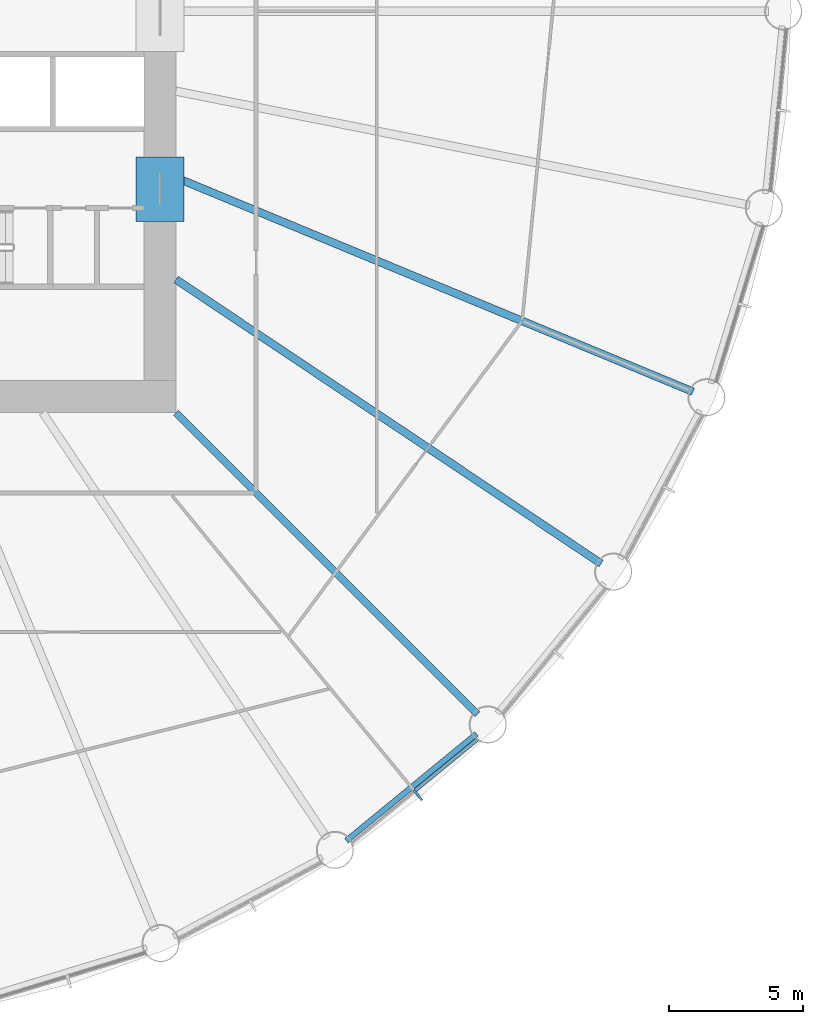
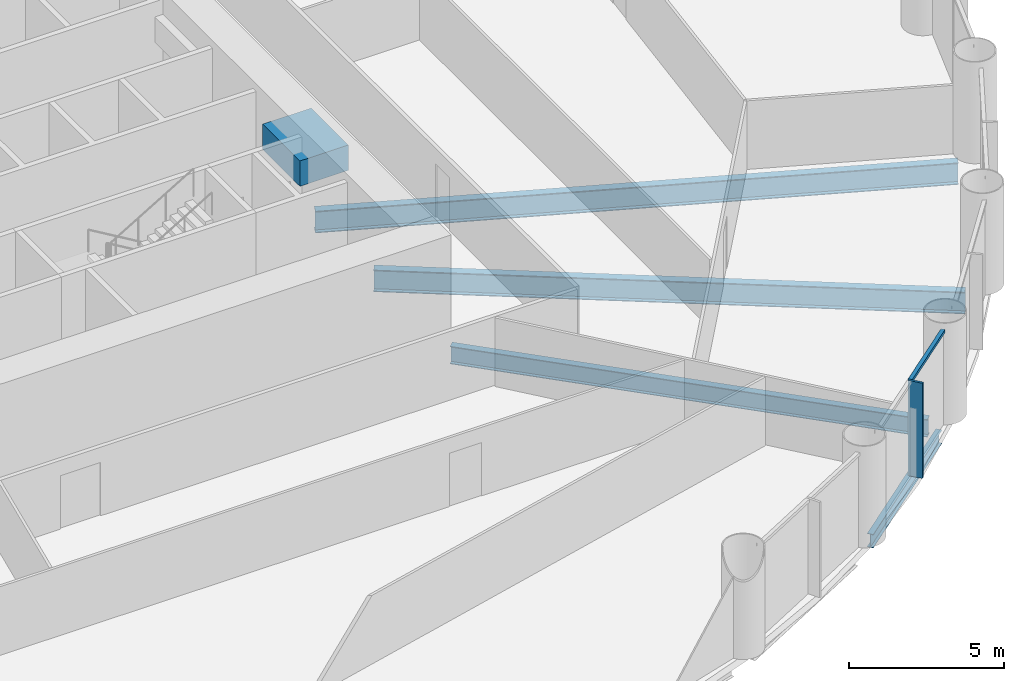
# One storey, part 3 of 15: 5 beams, 2 members, 1 element without a shape of its own.
"""IFC4 building model written with IfcOpenShell, lengths in metres."""

from ifc_helpers import new_model, si_unit, direction, frame, origin, origin_2d, place, context, subcontext, project, spatial, rectangle, i_section, extrude, material, material_profile, profile_set, type_object, element, aggregate, save


model = new_model("IFC4")

# Units and contexts
model_context = context("Model", 3, precision=1e-05, world=origin(), true_north=direction((0.0, 1.0)))
body_context = subcontext(model_context, "Body", "Model", "MODEL_VIEW")
ifc_project = project(units=[si_unit("LENGTHUNIT", "METRE"), si_unit("AREAUNIT", "SQUARE_METRE"), si_unit("VOLUMEUNIT", "CUBIC_METRE"), si_unit("PLANEANGLEUNIT", "RADIAN"), si_unit("MASSUNIT", "GRAM", prefix="KILO")], contexts=[model_context])

# Site, building, storey
site_placement = place(None, origin())
site = spatial("IfcSite", under=ifc_project, at=site_placement, CompositionType="ELEMENT")
building_placement = place(site_placement, origin())
building = spatial("IfcBuilding", under=site, at=building_placement, Name="Corvane Civic Tower", CompositionType="ELEMENT")
storey_placement = place(building_placement, frame((0.0, 0.0, 45.0)))
storey = spatial("IfcBuildingStorey", under=building, at=storey_placement, Name="L09", CompositionType="ELEMENT", Elevation=45.0)

# Beams
ifc_material_1 = material(Name="Concrete C80/95", Category="concrete")
ifc_material_profile_1 = material_profile(ifc_material_1, rectangle(XDim=1.800048828125, YDim=1.0, at=origin_2d()), Name="COUPLING BEAM 1800X1000")
ifc_profile_set_1 = profile_set([ifc_material_profile_1], Name="Concrete C80/95")
beam_type_1 = type_object("IfcBeamType", Name="COUPLING BEAM COUPLING BEAM 1800X1000", PredefinedType="BEAM", material=ifc_profile_set_1)
beam_1_placement = place(storey_placement, frame((14.39990234375, -7.85009765625, 2.60009765625), z_axis=(0.0, 1.0, 0.0), x_axis=(-1.0, 0.0, 0.0)))
element("IfcBeam", 1, at=beam_1_placement, inside=storey, type_object=beam_type_1, Name="BM-L09-cpl-CW-ES", PredefinedType="BEAM", context=body_context, shape_type="SweptSolid", body=[
    extrude(rectangle(XDim=1.800048828125, YDim=1.0, at=origin_2d()), origin(), (0.0, 0.0, 1.0), 2.400146484375),
])
ifc_material_2 = material(Name="Steel ASTM A992 Gr 50", Category="steel")
ifc_material_profile_2 = material_profile(ifc_material_2, i_section(OverallWidth=0.209228515625, OverallDepth=0.533447265625, WebThickness=0.01025390625, FlangeThickness=0.015625, at=origin_2d()), Name="W21X62")
ifc_profile_set_2 = profile_set([ifc_material_profile_2], Name="Steel ASTM A992 Gr 50")
beam_type_2 = type_object("IfcBeamType", Name="EDGE BEAM W21X62", PredefinedType="BEAM", material=ifc_profile_set_2)
beam_2_placement = place(storey_placement, frame((26.23291015625, -27.0068359375, -0.566650390625), z_axis=(-0.773015785286, -0.634386787141, 0.0), x_axis=(0.634386787141, -0.773015785286, 0.0)))
element("IfcBeam", 2, at=beam_2_placement, inside=storey, type_object=beam_type_2, Name="BM-L09-E13", PredefinedType="BEAM", context=body_context, shape_type="SweptSolid", body=[
    extrude(i_section(OverallWidth=0.209228515625, OverallDepth=0.533447265625, WebThickness=0.01025390625, FlangeThickness=0.015625, at=origin_2d()), origin(), (0.0, 0.0, 1.0), 6.290771484375),
])
ifc_material_3 = material(Name="Steel ASTM A992 Gr 50", Category="steel")
ifc_material_profile_3 = material_profile(ifc_material_3, i_section(OverallWidth=0.256591796875, OverallDepth=0.693359375, WebThickness=0.014404296875, FlangeThickness=0.023681640625, at=origin_2d()), Name="W27X114")
ifc_profile_set_3 = profile_set([ifc_material_profile_3], Name="Steel ASTM A992 Gr 50")
beam_type_3 = type_object("IfcBeamType", Name="FLOOR GIRDER W27X114", PredefinedType="BEAM", material=ifc_profile_set_3)
beam_3_placement = place(storey_placement, frame((15.0, -15.0, -0.646728515625), z_axis=(0.707106781187, -0.707106781187, 0.0), x_axis=(0.707106781187, 0.707106781187, 0.0)))
element("IfcBeam", 3, at=beam_3_placement, inside=storey, type_object=beam_type_3, Name="BM-L09-G13", PredefinedType="BEAM", context=body_context, shape_type="SweptSolid", body=[
    extrude(i_section(OverallWidth=0.256591796875, OverallDepth=0.693359375, WebThickness=0.014404296875, FlangeThickness=0.023681640625, at=origin_2d()), origin(), (0.0, 0.0, 1.0), 15.936767578125),
])
ifc_material_4 = material(Name="Steel ASTM A992 Gr 50", Category="steel")
ifc_material_profile_4 = material_profile(ifc_material_4, i_section(OverallWidth=0.2919921875, OverallDepth=0.8583984375, WebThickness=0.01708984375, FlangeThickness=0.031005859375, at=origin_2d()), Name="W33X169")
ifc_profile_set_4 = profile_set([ifc_material_profile_4], Name="Steel ASTM A992 Gr 50")
beam_type_4 = type_object("IfcBeamType", Name="FLOOR GIRDER W33X169", PredefinedType="BEAM", material=ifc_profile_set_4)
beam_4_placement = place(storey_placement, frame((15.0, -6.213134765625, -0.729248046875), z_axis=(0.923875834355, -0.382692360381, 0.0), x_axis=(0.382692360381, 0.923875834355, 0.0)))
element("IfcBeam", 4, at=beam_4_placement, inside=storey, type_object=beam_type_4, Name="BM-L09-G11", PredefinedType="BEAM", context=body_context, shape_type="SweptSolid", body=[
    extrude(i_section(OverallWidth=0.2919921875, OverallDepth=0.8583984375, WebThickness=0.01708984375, FlangeThickness=0.031005859375, at=origin_2d()), origin(), (0.0, 0.0, 1.0), 20.9140625),
])
beam_5_placement = place(storey_placement, frame((15.0, -10.022705078125, -0.729248046875), z_axis=(0.831471985418, -0.555566681385, 0.0), x_axis=(0.555566681385, 0.831471985418, 0.0)))
element("IfcBeam", 5, at=beam_5_placement, inside=storey, type_object=beam_type_4, Name="BM-L09-G12", PredefinedType="BEAM", context=body_context, shape_type="SweptSolid", body=[
    extrude(i_section(OverallWidth=0.2919921875, OverallDepth=0.8583984375, WebThickness=0.01708984375, FlangeThickness=0.031005859375, at=origin_2d()), origin(), (0.0, 0.0, 1.0), 19.109619140625),
])

# Curtain wall, members
ifc_material_5 = material(Name="Anodised aluminium bronze", Category="aluminium")
curtain_wall_type = type_object("IfcCurtainWallType", Name="TOWER CW-T1 STICK CURTAIN WALL", PredefinedType="NOTDEFINED", material=ifc_material_5)
curtain_wall_placement = place(storey_placement, origin())
curtain_wall = element("IfcCurtainWall", 6, at=curtain_wall_placement, inside=storey, type_object=curtain_wall_type, Name="Curtain wall CW-T1 L09 bay 13", PredefinedType="NOTDEFINED")
ifc_material_6 = material(Name="Anodised aluminium bronze", Category="aluminium")
ifc_material_profile_5 = material_profile(ifc_material_6, rectangle(XDim=0.139892578125, YDim=0.1201171875, at=origin_2d()), Name="TOWER CW-T1 TRANSOM 140x120")
ifc_profile_set_5 = profile_set([ifc_material_profile_5], Name="Anodised aluminium bronze")
member_type_1 = type_object("IfcMemberType", Name="TOWER CW-T1 TRANSOM 140x120", PredefinedType="USERDEFINED", material=ifc_profile_set_5)
member_1_placement = place(storey_placement, frame((26.271728515625, -27.20654296875, 3.68994140625), z_axis=(-0.773001943873, -0.634403652865, 0.0), x_axis=(0.634403652865, -0.773001943873, 0.0)))
member_1 = element("IfcMember", 7, at=member_1_placement, type_object=member_type_1, Name="Transom CW-T1 L09 13.1", ObjectType="TRANSOM", PredefinedType="USERDEFINED", context=body_context, shape_type="SweptSolid", body=[
    extrude(rectangle(XDim=0.139892578125, YDim=0.1201171875, at=origin_2d()), origin(), (0.0, 0.0, 1.0), 3.008544921875),
])
ifc_material_7 = material(Name="Anodised aluminium bronze", Category="aluminium")
ifc_material_profile_6 = material_profile(ifc_material_7, rectangle(XDim=0.080078125, YDim=0.5, at=origin_2d()), Name="TOWER FIN MULLION 80x500 BRONZE")
ifc_profile_set_6 = profile_set([ifc_material_profile_6], Name="Anodised aluminium bronze")
member_type_2 = type_object("IfcMemberType", Name="TOWER FIN MULLION 80x500 BRONZE", PredefinedType="MULLION", material=ifc_profile_set_6)
member_2_placement = place(storey_placement, frame((24.0419921875, -29.295166015625, 0.0), z_axis=(0.0, 0.0, 1.0), x_axis=(-0.773007224463, -0.634397218569, 0.0)))
member_2 = element("IfcMember", 8, at=member_2_placement, type_object=member_type_2, Name="Fin mullion 13 L09", PredefinedType="MULLION", context=body_context, shape_type="SweptSolid", body=[
    extrude(rectangle(XDim=0.080078125, YDim=0.5, at=origin_2d()), origin(), (0.0, 0.0, 1.0), 3.75),
])
aggregate(curtain_wall, [member_2, member_1])

save(model, "model.ifc")
